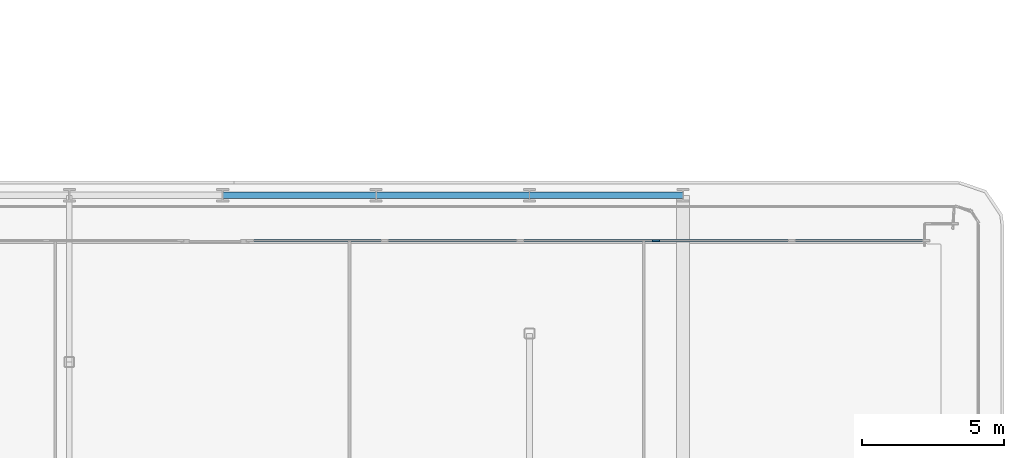
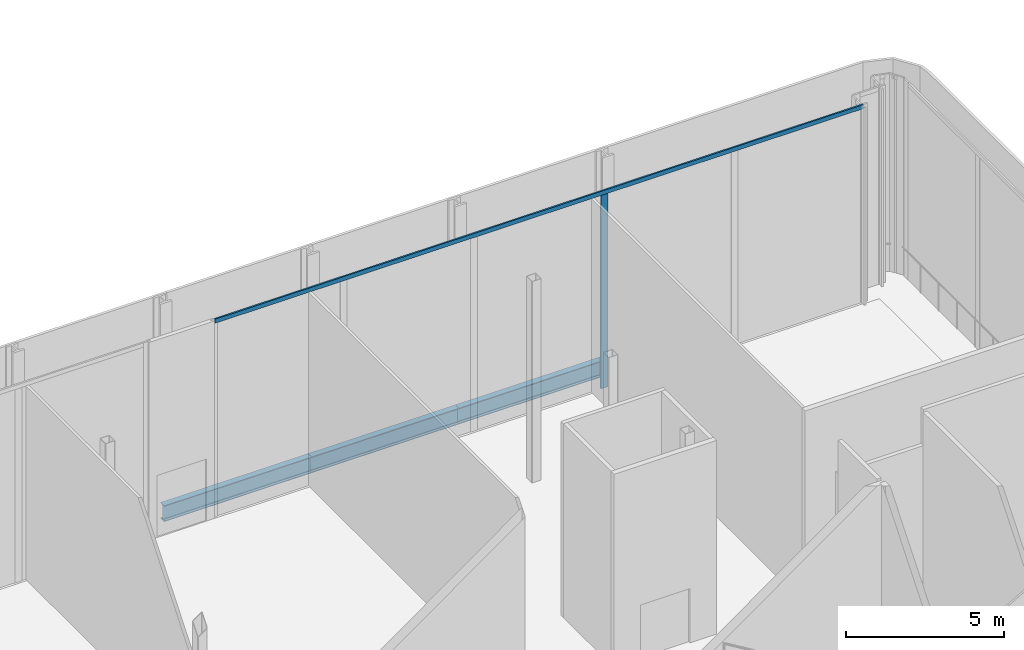
# One storey, part 9 of 36: 3 beams, 2 members, 1 element without a shape of its own.
"""IFC4 building model written with IfcOpenShell, lengths in metres."""

from ifc_helpers import new_model, si_unit, direction, frame, origin, origin_2d, place, context, subcontext, project, spatial, rectangle, i_section, extrude, material, layer, layer_set, material_profile, profile_set, type_object, element, aggregate, save


model = new_model("IFC4")

# Units and contexts
model_context = context("Model", 3, precision=1e-05, world=origin(), true_north=direction((0.0, 1.0)))
body_context = subcontext(model_context, "Body", "Model", "MODEL_VIEW")
ifc_project = project(units=[si_unit("LENGTHUNIT", "METRE"), si_unit("AREAUNIT", "SQUARE_METRE"), si_unit("VOLUMEUNIT", "CUBIC_METRE"), si_unit("PLANEANGLEUNIT", "RADIAN"), si_unit("MASSUNIT", "GRAM", prefix="KILO")], contexts=[model_context])

# Site, building, storey
site_placement = place(None, origin())
site = spatial("IfcSite", under=ifc_project, at=site_placement, CompositionType="ELEMENT")
building_placement = place(site_placement, origin())
building = spatial("IfcBuilding", under=site, at=building_placement, Name="Kheshtan School and Residences Tower", CompositionType="ELEMENT")
storey_placement = place(building_placement, frame((0.0, 0.0, 81.199951171875)))
storey = spatial("IfcBuildingStorey", under=building, at=storey_placement, Name="L19", CompositionType="ELEMENT", Elevation=81.199951171875)

# Beams
ifc_material_1 = material(Name="Steel ASTM A992 Grade 50", Category="steel")
ifc_material_profile_1 = material_profile(ifc_material_1, i_section(OverallWidth=0.22998046875, OverallDepth=0.616943359375, WebThickness=0.01318359375, FlangeThickness=0.022216796875, FilletRadius=0.0185546875, at=origin_2d()), Name="W610x140")
ifc_profile_set_1 = profile_set([ifc_material_profile_1], Name="Steel ASTM A992 Grade 50")
beam_type = type_object("IfcBeamType", Name="Beam SP1 W610x140 ASTM A992 Grade 50", PredefinedType="BEAM", material=ifc_profile_set_1)
for number, where, z_axis, x_axis, name in (
    (1, (74.60009765625, 45.60009765625, -0.45849609375), (1.0, 0.0, 0.0), (0.0, 1.0, 0.0), "Spandrel beam C065-C066"),
    (2, (80.0, 45.60009765625, -0.45849609375), (1.0, 0.0, 0.0), (0.0, 1.0, 0.0), "Spandrel beam C066-C067"),
):
    element("IfcBeam", number, at=place(storey_placement, frame(where, z_axis=z_axis, x_axis=x_axis)), inside=storey, type_object=beam_type, Name=name, PredefinedType="BEAM", context=body_context, shape_type="SweptSolid", body=[
        extrude(i_section(OverallWidth=0.22998046875, OverallDepth=0.616943359375, WebThickness=0.01318359375, FlangeThickness=0.022216796875, FilletRadius=0.0185546875, at=origin_2d()), origin(), (0.0, 0.0, 1.0), 5.39990234375),
    ])
beam_placement = place(storey_placement, frame((85.39990234375, 45.60009765625, -0.45849609375), z_axis=(1.0, 0.0, 0.0), x_axis=(0.0, 1.0, 0.0)))
element("IfcBeam", 3, at=beam_placement, inside=storey, type_object=beam_type, Name="Spandrel beam C067-C068", PredefinedType="BEAM", context=body_context, shape_type="SweptSolid", body=[
    extrude(i_section(OverallWidth=0.22998046875, OverallDepth=0.616943359375, WebThickness=0.01318359375, FlangeThickness=0.022216796875, FilletRadius=0.0185546875, at=origin_2d()), origin(), (0.0, 0.0, 1.0), 5.400146484375),
])

# Curtain wall, members
ifc_material_2 = material(Name="Clear low-e glass in thermally broken aluminium frame", Category="aluminium")
ifc_layer = layer(ifc_material_2, 0.25)
ifc_layer_set = layer_set([ifc_layer], Name="Curtain wall CW-G")
curtain_wall_type = type_object("IfcCurtainWallType", Name="Curtain wall CW-G", PredefinedType="NOTDEFINED", material=ifc_layer_set)
curtain_wall_placement = place(storey_placement, origin())
curtain_wall = element("IfcCurtainWall", 4, at=curtain_wall_placement, inside=storey, type_object=curtain_wall_type, Name="Curtain wall CWG5a", PredefinedType="NOTDEFINED")
ifc_material_3 = material(Name="Thermally broken aluminium, dark bronze anodised", Category="aluminium")
ifc_material_profile_2 = material_profile(ifc_material_3, rectangle(XDim=0.06005859375, YDim=0.25, at=origin_2d()), Name="CW-G mullion 60x250")
ifc_profile_set_2 = profile_set([ifc_material_profile_2], Name="Thermally broken aluminium, dark bronze anodised")
member_type_1 = type_object("IfcMemberType", Name="CW-G mullion 60x250", PredefinedType="MULLION", material=ifc_profile_set_2)
member_1_placement = place(storey_placement, frame((89.85205078125, 44.0, 0.0), z_axis=(0.0, 0.0, 1.0), x_axis=(0.0, 1.0, 0.0)))
member_1 = element("IfcMember", 5, at=member_1_placement, type_object=member_type_1, Name="CWG5a mullion 4", PredefinedType="MULLION", context=body_context, shape_type="SweptSolid", body=[
    extrude(rectangle(XDim=0.06005859375, YDim=0.25, at=origin_2d()), origin(), (0.0, 0.0, 1.0), 7.489990234375),
])
ifc_material_profile_3 = material_profile(ifc_material_3, rectangle(XDim=0.06005859375, YDim=0.159912109375, at=origin_2d()), Name="CW-G transom 60x160")
ifc_profile_set_3 = profile_set([ifc_material_profile_3], Name="Thermally broken aluminium, dark bronze anodised")
member_type_2 = type_object("IfcMemberType", Name="CW-G transom 60x160", PredefinedType="USERDEFINED", material=ifc_profile_set_3)
member_2_placement = place(storey_placement, frame((75.590087890625, 44.0, 7.570068359375), z_axis=(1.0, 0.0, 0.0), x_axis=(0.0, 1.0, 0.0)))
member_2 = element("IfcMember", 6, at=member_2_placement, type_object=member_type_2, Name="CWG5a transom 1", ObjectType="TRANSOM", PredefinedType="USERDEFINED", context=body_context, shape_type="SweptSolid", body=[
    extrude(rectangle(XDim=0.06005859375, YDim=0.159912109375, at=origin_2d()), origin(), (0.0, 0.0, 1.0), 23.75),
])
aggregate(curtain_wall, [member_1, member_2])

save(model, "model.ifc")
